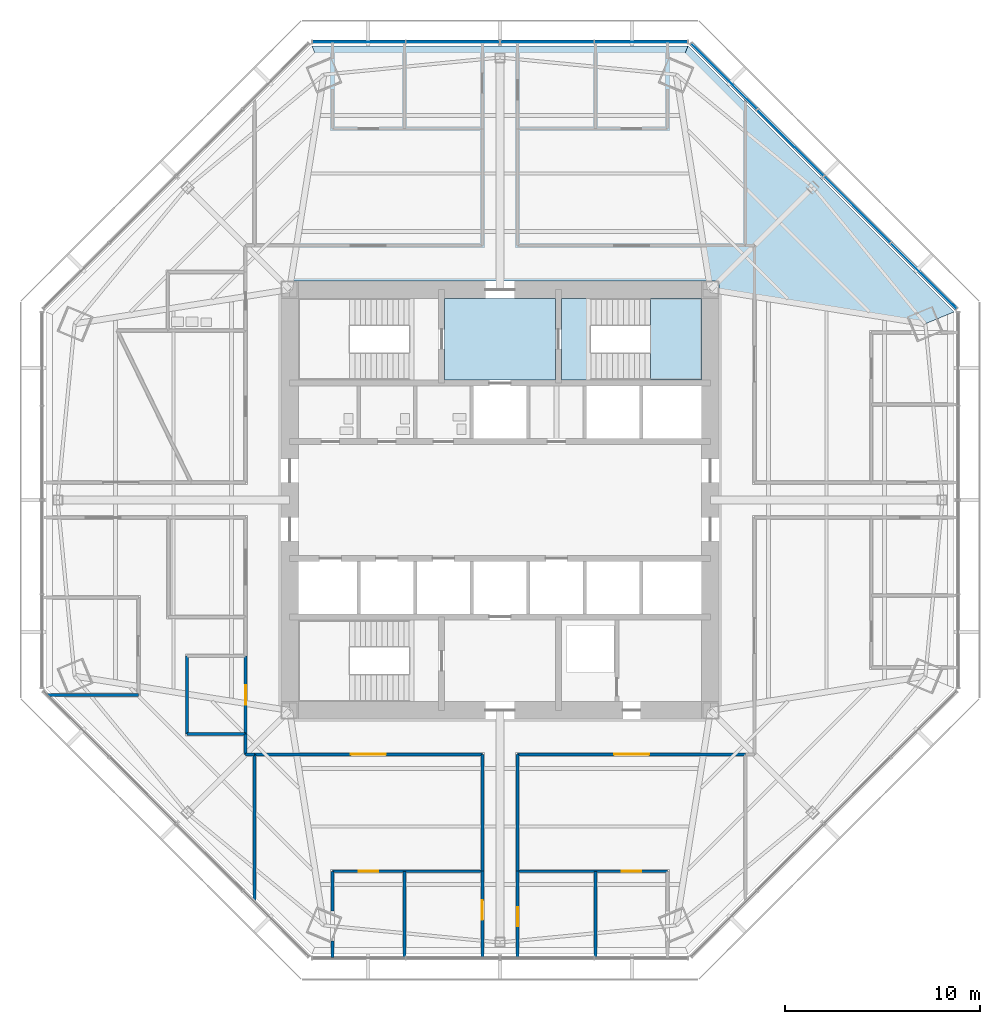
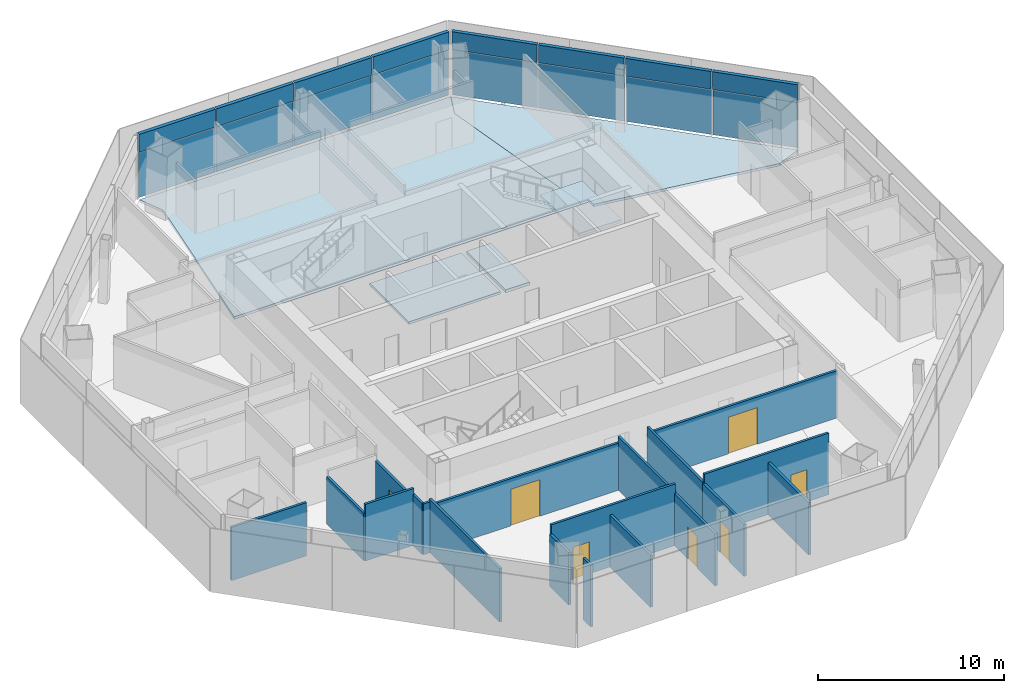
# One storey, part 8 of 15: 19 walls, 16 plates, 7 doors, 5 slabs, 7 openings, 3 elements without a shape of their own.
"""IFC4 building model written with IfcOpenShell, lengths in metres."""

from ifc_helpers import new_model, si_unit, direction, frame, frame_2d, origin, origin_2d, place, context, subcontext, project, spatial, polyline, rectangle, outline, extrude, source, transform, mapped, material, layer, layer_set, type_object, type_shapes, element, fill, aggregate, save


model = new_model("IFC4")

# Units and contexts
model_context = context("Model", 3, precision=1e-05, world=origin(), true_north=direction((0.0, 1.0)))
body_context = subcontext(model_context, "Body", "Model", "MODEL_VIEW")
ifc_project = project(units=[si_unit("LENGTHUNIT", "METRE"), si_unit("AREAUNIT", "SQUARE_METRE"), si_unit("VOLUMEUNIT", "CUBIC_METRE"), si_unit("PLANEANGLEUNIT", "RADIAN"), si_unit("MASSUNIT", "GRAM", prefix="KILO")], contexts=[model_context])

# Site, building, storey
site_placement = place(None, origin())
site = spatial("IfcSite", under=ifc_project, at=site_placement, CompositionType="ELEMENT")
building_placement = place(site_placement, origin())
building = spatial("IfcBuilding", under=site, at=building_placement, Name="Mashrafa Tower", CompositionType="ELEMENT")
storey_placement = place(building_placement, frame((0.0, 0.0, 159.60009765625)))
storey = spatial("IfcBuildingStorey", under=building, at=storey_placement, Name="L36", CompositionType="ELEMENT", Elevation=159.60009765625)

# Slabs
ifc_material_1 = material(Name="Concrete C35/45", Category="concrete")
ifc_layer_1 = layer(ifc_material_1, 0.1650390625)
ifc_layer_set_1 = layer_set([ifc_layer_1], Name="Floor slab 165")
slab_type_1 = type_object("IfcSlabType", Name="Floor slab 165", PredefinedType="FLOOR", material=ifc_layer_set_1)
slab_1_placement = place(storey_placement, frame((0.0, 0.0, -0.1650390625)))
element("IfcSlab", 1, at=slab_1_placement, inside=storey, type_object=slab_type_1, Name="Floor slab L36 north-east bay", PredefinedType="FLOOR", context=body_context, shape_type="SweptSolid", body=[
    extrude(outline(polyline([(23.2998046875, 9.651123046875), (21.826416015625, 9.040771484375), (11.25, 10.728271484375), (11.25, 11.25), (10.728271484375, 11.25), (9.040771484375, 21.826416015625), (9.651123046875, 23.2998046875), (23.2998046875, 9.651123046875)])), origin(), (0.0, 0.0, 1.0), 0.1650390625),
])
slab_2_placement = place(storey_placement, frame((0.0, 0.0, -0.1650390625)))
element("IfcSlab", 2, at=slab_2_placement, inside=storey, type_object=slab_type_1, Name="Floor slab L36 north bay", PredefinedType="FLOOR", context=body_context, shape_type="SweptSolid", body=[
    extrude(outline(polyline([(-9.651123046875, 23.2998046875), (9.651123046875, 23.2998046875), (9.651123046875, 23.2998046875), (9.040771484375, 21.826416015625), (10.728271484375, 11.25), (-10.728271484375, 11.25), (-9.040771484375, 21.826416015625), (-9.651123046875, 23.2998046875), (-9.651123046875, 23.2998046875)])), origin(), (0.0, 0.0, 1.0), 0.1650390625),
])
slab_3_placement = place(storey_placement, frame((0.0, 0.0, -0.1650390625)))
element("IfcSlab", 3, at=slab_3_placement, inside=storey, type_object=slab_type_1, Name="Core floor fire-fighting lobby north L36", PredefinedType="FLOOR", context=body_context, shape_type="SweptSolid", body=[
    extrude(outline(polyline([(-2.85009765625, 10.35009765625), (2.85009765625, 10.35009765625), (2.85009765625, 6.14990234375), (-2.85009765625, 6.14990234375), (-2.85009765625, 10.35009765625)])), origin(), (0.0, 0.0, 1.0), 0.1650390625),
])

# Stair, slabs
ifc_material_2 = material(Name="Exit stair 1400")
stair_type = type_object("IfcStairType", Name="Exit stair 1400", PredefinedType="HALF_TURN_STAIR", material=ifc_material_2)
stair_placement = place(storey_placement, origin())
stair = element("IfcStair", 4, at=stair_placement, inside=storey, type_object=stair_type, Name="Stair S2 L36", PredefinedType="HALF_TURN_STAIR")
ifc_material_3 = material(Name="Concrete C32/40", Category="concrete")
ifc_layer_2 = layer(ifc_material_3, 0.199951171875)
ifc_layer_set_2 = layer_set([ifc_layer_2], Name="Stair landing 200")
slab_type_2 = type_object("IfcSlabType", Name="Stair landing 200", PredefinedType="LANDING", material=ifc_layer_set_2)
slab_4_placement = place(storey_placement, frame((0.0, 0.0, -0.2001953125)))
slab_4 = element("IfcSlab", 5, at=slab_4_placement, type_object=slab_type_2, Name="S2 landing 1", PredefinedType="LANDING", context=body_context, shape_type="SweptSolid", body=[
    extrude(outline(polyline([(3.14990234375, 6.14990234375), (4.659912109375, 6.14990234375), (4.659912109375, 10.35009765625), (3.14990234375, 10.35009765625), (3.14990234375, 6.14990234375)])), origin(), (0.0, 0.0, 1.0), 0.2001953125),
])
slab_5_placement = place(storey_placement, frame((0.0, 0.0, 1.89990234375)))
slab_5 = element("IfcSlab", 6, at=slab_5_placement, type_object=slab_type_2, Name="S2 landing 2", PredefinedType="LANDING", context=body_context, shape_type="SweptSolid", body=[
    extrude(outline(polyline([(7.719970703125, 6.14990234375), (10.35009765625, 6.14990234375), (10.35009765625, 10.35009765625), (7.719970703125, 10.35009765625), (7.719970703125, 6.14990234375)])), origin(), (0.0, 0.0, 1.0), 0.199951171875),
])
aggregate(stair, [slab_4, slab_5])

# Curtain wall, plates
ifc_material_4 = material(Name="Unitised aluminium curtain wall", Category="aluminium")
curtain_wall_type = type_object("IfcCurtainWallType", Name="Office curtain wall, zone 2 CW-B 225 deep", PredefinedType="NOTDEFINED", material=ifc_material_4)
curtain_wall_1_placement = place(storey_placement, origin())
curtain_wall_1 = element("IfcCurtainWall", 7, at=curtain_wall_1_placement, inside=storey, type_object=curtain_wall_type, Name="Office curtain wall, zone 2 L36 north-east", PredefinedType="NOTDEFINED")
ifc_material_5 = material(Name="Insulated double glazing, low-e, neutral", Category="glass")
ifc_layer_3 = layer(ifc_material_5, 0.028076171875)
ifc_layer_set_3 = layer_set([ifc_layer_3], Name="Vision panel CW-B 28")
plate_type_1 = type_object("IfcPlateType", Name="Vision panel CW-B 28", PredefinedType="CURTAIN_PANEL", material=ifc_layer_set_3)
shared_shape_1 = source(origin(), body_context, "Body", "SweptSolid", [
    extrude(rectangle(XDim=4.7412109375, YDim=0.028076171875, at=origin_2d()), origin(), (0.0, 0.0, 1.0), 2.9599609375),
])
plate_1_placement = place(storey_placement, frame((21.737548828125, 11.49609375, 0.0), z_axis=(0.0, 0.0, 1.0), x_axis=(-0.707106781187, 0.707106781187, 0.0)))
plate_1 = element("IfcPlate", 8, at=plate_1_placement, type_object=plate_type_1, Name="CW-B vision panel 1", PredefinedType="CURTAIN_PANEL", context=body_context, shape_type="MappedRepresentation", body=[
    mapped(shared_shape_1, transform((0.0, 0.0, 0.0))),
])
plate_2_placement = place(storey_placement, frame((11.49609375, 21.737548828125, 0.0), z_axis=(0.0, 0.0, 1.0), x_axis=(-0.707106781187, 0.707106781187, 0.0)))
plate_2 = element("IfcPlate", 9, at=plate_2_placement, type_object=plate_type_1, Name="CW-B vision panel 4", PredefinedType="CURTAIN_PANEL", context=body_context, shape_type="MappedRepresentation", body=[
    mapped(shared_shape_1, transform((0.0, 0.0, 0.0))),
])

curtain_wall_2_placement = place(storey_placement, origin())
curtain_wall_2 = element("IfcCurtainWall", 10, at=curtain_wall_2_placement, inside=storey, type_object=curtain_wall_type, Name="Office curtain wall, zone 2 L36 north", PredefinedType="NOTDEFINED")
plate_3_placement = place(storey_placement, frame((7.24169921875, 23.499755859375, 0.0), z_axis=(0.0, 0.0, 1.0), x_axis=(-1.0, 0.0, 0.0)))
plate_3 = element("IfcPlate", 11, at=plate_3_placement, type_object=plate_type_1, Name="CW-B vision panel 1", PredefinedType="CURTAIN_PANEL", context=body_context, shape_type="MappedRepresentation", body=[
    mapped(shared_shape_1, transform((0.0, 0.0, 0.0))),
])
plate_4_placement = place(storey_placement, frame((-7.24169921875, 23.499755859375, 0.0), z_axis=(0.0, 0.0, 1.0), x_axis=(-1.0, 0.0, 0.0)))
plate_4 = element("IfcPlate", 12, at=plate_4_placement, type_object=plate_type_1, Name="CW-B vision panel 4", PredefinedType="CURTAIN_PANEL", context=body_context, shape_type="MappedRepresentation", body=[
    mapped(shared_shape_1, transform((0.0, 0.0, 0.0))),
])

# Plate
ifc_material_6 = material(Name="Insulated aluminium spandrel panel", Category="aluminium")
ifc_layer_4 = layer(ifc_material_6, 0.219970703125)
ifc_layer_set_4 = layer_set([ifc_layer_4], Name="Spandrel panel CW-B 220")
plate_type_2 = type_object("IfcPlateType", Name="Spandrel panel CW-B 220", PredefinedType="CURTAIN_PANEL", material=ifc_layer_set_4)
shared_shape_2 = source(origin(), body_context, "Body", "SweptSolid", [
    extrude(rectangle(XDim=4.7412109375, YDim=0.219970703125, at=origin_2d()), origin(), (0.0, 0.0, 1.0), 1.159912109375),
])
plate_5_placement = place(storey_placement, frame((21.737548828125, 11.49609375, 3.0400390625), z_axis=(0.0, 0.0, 1.0), x_axis=(-0.707106781187, 0.707106781187, 0.0)))
plate_5 = element("IfcPlate", 13, at=plate_5_placement, type_object=plate_type_2, Name="CW-B spandrel panel 1", PredefinedType="CURTAIN_PANEL", context=body_context, shape_type="MappedRepresentation", body=[
    mapped(shared_shape_2, transform((0.0, 0.0, 0.0))),
])

plate_6_placement = place(storey_placement, frame((11.49609375, 21.737548828125, 3.0400390625), z_axis=(0.0, 0.0, 1.0), x_axis=(-0.707106781187, 0.707106781187, 0.0)))
plate_6 = element("IfcPlate", 14, at=plate_6_placement, type_object=plate_type_2, Name="CW-B spandrel panel 4", PredefinedType="CURTAIN_PANEL", context=body_context, shape_type="MappedRepresentation", body=[
    mapped(shared_shape_2, transform((0.0, 0.0, 0.0))),
])

plate_7_placement = place(storey_placement, frame((7.24169921875, 23.499755859375, 3.0400390625), z_axis=(0.0, 0.0, 1.0), x_axis=(-1.0, 0.0, 0.0)))
plate_7 = element("IfcPlate", 15, at=plate_7_placement, type_object=plate_type_2, Name="CW-B spandrel panel 1", PredefinedType="CURTAIN_PANEL", context=body_context, shape_type="MappedRepresentation", body=[
    mapped(shared_shape_2, transform((0.0, 0.0, 0.0))),
])

plate_8_placement = place(storey_placement, frame((-7.24169921875, 23.499755859375, 3.0400390625), z_axis=(0.0, 0.0, 1.0), x_axis=(-1.0, 0.0, 0.0)))
plate_8 = element("IfcPlate", 16, at=plate_8_placement, type_object=plate_type_2, Name="CW-B spandrel panel 4", PredefinedType="CURTAIN_PANEL", context=body_context, shape_type="MappedRepresentation", body=[
    mapped(shared_shape_2, transform((0.0, 0.0, 0.0))),
])

shared_shape_3 = source(origin(), body_context, "Body", "SweptSolid", [
    extrude(rectangle(XDim=4.773681640625, YDim=0.028076171875, at=origin_2d()), origin(), (0.0, 0.0, 1.0), 2.9599609375),
])
type_shapes(plate_type_1, [shared_shape_1, shared_shape_3])
plate_9_placement = place(storey_placement, frame((18.32763671875, 14.90625, 0.0), z_axis=(0.0, 0.0, 1.0), x_axis=(-0.707106781187, 0.707106781187, 0.0)))
plate_9 = element("IfcPlate", 17, at=plate_9_placement, type_object=plate_type_1, Name="CW-B vision panel 2", PredefinedType="CURTAIN_PANEL", context=body_context, shape_type="MappedRepresentation", body=[
    mapped(shared_shape_3, transform((0.0, 0.0, 0.0))),
])

plate_10_placement = place(storey_placement, frame((14.90625, 18.32763671875, 0.0), z_axis=(0.0, 0.0, 1.0), x_axis=(-0.707106781187, 0.707106781187, 0.0)))
plate_10 = element("IfcPlate", 18, at=plate_10_placement, type_object=plate_type_1, Name="CW-B vision panel 3", PredefinedType="CURTAIN_PANEL", context=body_context, shape_type="MappedRepresentation", body=[
    mapped(shared_shape_3, transform((0.0, 0.0, 0.0))),
])

plate_11_placement = place(storey_placement, frame((2.41943359375, 23.499755859375, 0.0), z_axis=(0.0, 0.0, 1.0), x_axis=(-1.0, 0.0, 0.0)))
plate_11 = element("IfcPlate", 19, at=plate_11_placement, type_object=plate_type_1, Name="CW-B vision panel 2", PredefinedType="CURTAIN_PANEL", context=body_context, shape_type="MappedRepresentation", body=[
    mapped(shared_shape_3, transform((0.0, 0.0, 0.0))),
])

plate_12_placement = place(storey_placement, frame((-2.41943359375, 23.499755859375, 0.0), z_axis=(0.0, 0.0, 1.0), x_axis=(-1.0, 0.0, 0.0)))
plate_12 = element("IfcPlate", 20, at=plate_12_placement, type_object=plate_type_1, Name="CW-B vision panel 3", PredefinedType="CURTAIN_PANEL", context=body_context, shape_type="MappedRepresentation", body=[
    mapped(shared_shape_3, transform((0.0, 0.0, 0.0))),
])

shared_shape_4 = source(origin(), body_context, "Body", "SweptSolid", [
    extrude(rectangle(XDim=4.773681640625, YDim=0.219970703125, at=origin_2d()), origin(), (0.0, 0.0, 1.0), 1.159912109375),
])
type_shapes(plate_type_2, [shared_shape_2, shared_shape_4])
plate_13_placement = place(storey_placement, frame((18.32763671875, 14.90625, 3.0400390625), z_axis=(0.0, 0.0, 1.0), x_axis=(-0.707106781187, 0.707106781187, 0.0)))
plate_13 = element("IfcPlate", 21, at=plate_13_placement, type_object=plate_type_2, Name="CW-B spandrel panel 2", PredefinedType="CURTAIN_PANEL", context=body_context, shape_type="MappedRepresentation", body=[
    mapped(shared_shape_4, transform((0.0, 0.0, 0.0))),
])

plate_14_placement = place(storey_placement, frame((14.90625, 18.32763671875, 3.0400390625), z_axis=(0.0, 0.0, 1.0), x_axis=(-0.707106781187, 0.707106781187, 0.0)))
plate_14 = element("IfcPlate", 22, at=plate_14_placement, type_object=plate_type_2, Name="CW-B spandrel panel 3", PredefinedType="CURTAIN_PANEL", context=body_context, shape_type="MappedRepresentation", body=[
    mapped(shared_shape_4, transform((0.0, 0.0, 0.0))),
])

aggregate(curtain_wall_1, [plate_1, plate_5, plate_9, plate_13, plate_10, plate_14, plate_2, plate_6])

plate_15_placement = place(storey_placement, frame((2.41943359375, 23.499755859375, 3.0400390625), z_axis=(0.0, 0.0, 1.0), x_axis=(-1.0, 0.0, 0.0)))
plate_15 = element("IfcPlate", 23, at=plate_15_placement, type_object=plate_type_2, Name="CW-B spandrel panel 2", PredefinedType="CURTAIN_PANEL", context=body_context, shape_type="MappedRepresentation", body=[
    mapped(shared_shape_4, transform((0.0, 0.0, 0.0))),
])

plate_16_placement = place(storey_placement, frame((-2.41943359375, 23.499755859375, 3.0400390625), z_axis=(0.0, 0.0, 1.0), x_axis=(-1.0, 0.0, 0.0)))
plate_16 = element("IfcPlate", 24, at=plate_16_placement, type_object=plate_type_2, Name="CW-B spandrel panel 3", PredefinedType="CURTAIN_PANEL", context=body_context, shape_type="MappedRepresentation", body=[
    mapped(shared_shape_4, transform((0.0, 0.0, 0.0))),
])

aggregate(curtain_wall_2, [plate_3, plate_7, plate_11, plate_15, plate_12, plate_16, plate_4, plate_8])

# Wall, opening, door
ifc_material_7 = material(Name="Gypsum board on steel studs", Category="steel")
ifc_layer_5 = layer(ifc_material_7, 0.14990234375)
ifc_layer_set_5 = layer_set([ifc_layer_5], Name="Corridor partition 150 1 hr")
wall_type_1 = type_object("IfcWallType", Name="Corridor partition 150 1 hr", PredefinedType="PARTITIONING", material=ifc_layer_set_5)
wall_1_placement = place(storey_placement, frame((0.89990234375, -23.48388671875, 0.0), z_axis=(0.0, 0.0, 1.0), x_axis=(0.0, 1.0, 0.0)))
wall_1 = element("IfcWall", 25, at=wall_1_placement, inside=storey, type_object=wall_type_1, Name="Corridor wall L36-008", PredefinedType="PARTITIONING", context=body_context, shape_type="SweptSolid", body=[
    extrude(rectangle(XDim=4.43505859375, YDim=0.14990234375, at=frame_2d((2.217529296875, 0.0))), origin(), (0.0, 0.0, 1.0), 3.4228515625),
])
opening_1_placement = place(wall_1_placement, frame((1.599609375, 0.0, 0.0)))
opening_1 = element("IfcOpeningElement", 26, at=opening_1_placement, cuts=wall_1, Name="Opening 36.011", PredefinedType="OPENING", context=body_context, shape_type="SweptSolid", body=[
    extrude(rectangle(XDim=1.0, YDim=2.10009765625, at=frame_2d((0.5, 1.050048828125))), frame((0.0, 0.0849609375, 0.0), z_axis=(0.0, -1.0, 0.0), x_axis=(1.0, 0.0, 0.0)), (0.0, 0.0, 1.0), 0.169921875),
])
ifc_material_8 = material(Name="Timber door", Category="wood")
door_type_1 = type_object("IfcDoorType", Name="Door 1000 x 2100", OperationType="USERDEFINED", PredefinedType="DOOR", material=ifc_material_8)
door_1_placement = place(opening_1_placement, frame((1.0, 0.0, 0.0), z_axis=(0.0, 0.0, 1.0), x_axis=(-1.0, 0.0, 0.0)))
door_1 = element("IfcDoor", 27, at=door_1_placement, inside=storey, type_object=door_type_1, Name="Serviced Office 36-SA-1 door", OperationType="SINGLE_SWING_RIGHT", OverallHeight=2.10009765625, OverallWidth=1.0, PredefinedType="DOOR", context=body_context, shape_type="SweptSolid", body=[
    extrude(rectangle(XDim=1.0, YDim=2.10009765625, at=frame_2d((0.5, 1.050048828125))), frame((0.0, 0.02490234375, 0.0), z_axis=(0.0, -1.0, 0.0), x_axis=(1.0, 0.0, 0.0)), (0.0, 0.0, 1.0), 0.050048828125),
])
fill(opening_1, door_1)

wall_2_placement = place(storey_placement, frame((-0.89990234375, -19.048828125, 0.0), z_axis=(0.0, 0.0, 1.0), x_axis=(0.0, -1.0, 0.0)))
wall_2 = element("IfcWall", 28, at=wall_2_placement, inside=storey, type_object=wall_type_1, Name="Corridor wall L36-009", PredefinedType="PARTITIONING", context=body_context, shape_type="SweptSolid", body=[
    extrude(rectangle(XDim=4.43505859375, YDim=0.14990234375, at=frame_2d((2.217529296875, 0.0))), origin(), (0.0, 0.0, 1.0), 3.4228515625),
])
opening_2_placement = place(wall_2_placement, frame((1.50048828125, 0.0, 0.0)))
opening_2 = element("IfcOpeningElement", 29, at=opening_2_placement, cuts=wall_2, Name="Opening 36.014", PredefinedType="OPENING", context=body_context, shape_type="SweptSolid", body=[
    extrude(rectangle(XDim=1.0, YDim=2.10009765625, at=frame_2d((0.5, 1.050048828125))), frame((0.0, 0.0849609375, 0.0), z_axis=(0.0, -1.0, 0.0), x_axis=(1.0, 0.0, 0.0)), (0.0, 0.0, 1.0), 0.169921875),
])
door_2_placement = place(opening_2_placement, frame((1.0, 0.0, 0.0), z_axis=(0.0, 0.0, 1.0), x_axis=(-1.0, 0.0, 0.0)))
door_2 = element("IfcDoor", 30, at=door_2_placement, inside=storey, type_object=door_type_1, Name="Serviced Office 36-SB-2 door", OperationType="SINGLE_SWING_RIGHT", OverallHeight=2.10009765625, OverallWidth=1.0, PredefinedType="DOOR", context=body_context, shape_type="SweptSolid", body=[
    extrude(rectangle(XDim=1.0, YDim=2.10009765625, at=frame_2d((0.5, 1.050048828125))), frame((0.0, 0.02490234375, 0.0), z_axis=(0.0, -1.0, 0.0), x_axis=(1.0, 0.0, 0.0)), (0.0, 0.0, 1.0), 0.050048828125),
])
fill(opening_2, door_2)

wall_3_placement = place(storey_placement, frame((-13.050048828125, -7.9990234375, 0.0), z_axis=(0.0, 0.0, 1.0), x_axis=(0.0, -1.0, 0.0)))
wall_3 = element("IfcWall", 31, at=wall_3_placement, inside=storey, type_object=wall_type_1, Name="Corridor wall L36-010", PredefinedType="PARTITIONING", context=body_context, shape_type="SweptSolid", body=[
    extrude(rectangle(XDim=4.001953125, YDim=0.14990234375, at=frame_2d((2.0009765625, 0.0))), origin(), (0.0, 0.0, 1.0), 3.097900390625),
])
opening_3_placement = place(wall_3_placement, frame((1.5009765625, 0.0, 0.0)))
opening_3 = element("IfcOpeningElement", 32, at=opening_3_placement, cuts=wall_3, Name="Opening 36.016", PredefinedType="OPENING", context=body_context, shape_type="SweptSolid", body=[
    extrude(rectangle(XDim=1.0, YDim=2.10009765625, at=frame_2d((0.5, 1.050048828125))), frame((0.0, 0.0849609375, 0.0), z_axis=(0.0, -1.0, 0.0), x_axis=(1.0, 0.0, 0.0)), (0.0, 0.0, 1.0), 0.169921875),
])
door_3_placement = place(opening_3_placement, frame((1.0, 0.0, 0.0), z_axis=(0.0, 0.0, 1.0), x_axis=(-1.0, 0.0, 0.0)))
door_3 = element("IfcDoor", 33, at=door_3_placement, inside=storey, type_object=door_type_1, Name="Shared Pantry 36 door", OperationType="SINGLE_SWING_RIGHT", OverallHeight=2.10009765625, OverallWidth=1.0, PredefinedType="DOOR", context=body_context, shape_type="SweptSolid", body=[
    extrude(rectangle(XDim=1.0, YDim=2.10009765625, at=frame_2d((0.5, 1.050048828125))), frame((0.0, 0.02490234375, 0.0), z_axis=(0.0, -1.0, 0.0), x_axis=(1.0, 0.0, 0.0)), (0.0, 0.0, 1.0), 0.050048828125),
])
fill(opening_3, door_3)

# Walls
wall_4_placement = place(storey_placement, frame((-13.050048828125, -11.9990234375, 0.0), z_axis=(0.0, 0.0, 1.0), x_axis=(0.0, -1.0, 0.0)))
element("IfcWall", 34, at=wall_4_placement, inside=storey, type_object=wall_type_1, Name="Corridor wall L36-024", PredefinedType="PARTITIONING", context=body_context, shape_type="SweptSolid", body=[
    extrude(rectangle(XDim=1.051025390625, YDim=0.14990234375, at=frame_2d((0.525390625, 0.0))), origin(), (0.0, 0.0, 1.0), 3.33154296875),
])
wall_5_placement = place(storey_placement, frame((-13.050048828125, -13.050048828125, 0.0), z_axis=(0.0, 0.0, 1.0), x_axis=(1.0, 0.0, 0.0)))
element("IfcWall", 35, at=wall_5_placement, inside=storey, type_object=wall_type_1, Name="Corridor wall L36-025", PredefinedType="PARTITIONING", context=body_context, shape_type="SweptSolid", body=[
    extrude(rectangle(XDim=0.450927734375, YDim=0.14990234375, at=frame_2d((0.2255859375, 0.0))), origin(), (0.0, 0.0, 1.0), 3.33154296875),
])

# Wall, opening, door
wall_6_placement = place(storey_placement, frame((-12.60107421875, -13.050048828125, 0.0), z_axis=(0.0, 0.0, 1.0), x_axis=(1.0, 0.0, 0.0)))
wall_6 = element("IfcWall", 36, at=wall_6_placement, inside=storey, type_object=wall_type_1, Name="Corridor wall L36-027", PredefinedType="PARTITIONING", context=body_context, shape_type="SweptSolid", body=[
    extrude(rectangle(XDim=11.701171875, YDim=0.14990234375, at=frame_2d((5.8505859375, 0.0))), origin(), (0.0, 0.0, 1.0), 3.097900390625),
])
opening_4_placement = place(wall_6_placement, frame((4.950439453125, 0.0, 0.0)))
opening_4 = element("IfcOpeningElement", 37, at=opening_4_placement, cuts=wall_6, Name="Opening 36.023", PredefinedType="OPENING", context=body_context, shape_type="SweptSolid", body=[
    extrude(rectangle(XDim=1.800048828125, YDim=2.39990234375, at=frame_2d((0.89990234375, 1.199951171875))), frame((0.0, 0.0849609375, 0.0), z_axis=(0.0, -1.0, 0.0), x_axis=(1.0, 0.0, 0.0)), (0.0, 0.0, 1.0), 0.169921875),
])
ifc_material_9 = material(Name="Timber door", Category="wood")
door_type_2 = type_object("IfcDoorType", Name="Door pair 1800 x 2400", OperationType="DOUBLE_DOOR_SINGLE_SWING", PredefinedType="DOOR", material=ifc_material_9)
door_4_placement = place(opening_4_placement, origin())
door_4 = element("IfcDoor", 38, at=door_4_placement, inside=storey, type_object=door_type_2, Name="Business Centre Lounge 36-SW2 door", OperationType="DOUBLE_DOOR_SINGLE_SWING", OverallHeight=2.39990234375, OverallWidth=1.800048828125, PredefinedType="DOOR", context=body_context, shape_type="SweptSolid", body=[
    extrude(rectangle(XDim=1.800048828125, YDim=2.39990234375, at=frame_2d((0.89990234375, 1.199951171875))), frame((0.0, 0.02490234375, 0.0), z_axis=(0.0, -1.0, 0.0), x_axis=(1.0, 0.0, 0.0)), (0.0, 0.0, 1.0), 0.050048828125),
])
fill(opening_4, door_4)

# Walls
for number, where, z_axis, x_axis, name in (
    (39, (-0.89990234375, -13.050048828125, 0.0), (0.0, 0.0, 1.0), (0.0, -1.0, 0.0), "Corridor wall L36-028"),
    (40, (0.89990234375, -19.05078125, 0.0), (0.0, 0.0, 1.0), (0.0, 1.0, 0.0), "Corridor wall L36-032"),
):
    element("IfcWall", number, at=place(storey_placement, frame(where, z_axis=z_axis, x_axis=x_axis)), inside=storey, type_object=wall_type_1, Name=name, PredefinedType="PARTITIONING", context=body_context, shape_type="SweptSolid", body=[
        extrude(rectangle(XDim=6.000732421875, YDim=0.14990234375, at=frame_2d((3.00048828125, 0.0))), origin(), (0.0, 0.0, 1.0), 3.491455078125),
    ])

# Wall, opening, door
wall_7_placement = place(storey_placement, frame((0.89990234375, -13.050048828125, 0.0), z_axis=(0.0, 0.0, 1.0), x_axis=(1.0, 0.0, 0.0)))
wall_7 = element("IfcWall", 41, at=wall_7_placement, inside=storey, type_object=wall_type_1, Name="Corridor wall L36-033", PredefinedType="PARTITIONING", context=body_context, shape_type="SweptSolid", body=[
    extrude(rectangle(XDim=11.701171875, YDim=0.14990234375, at=frame_2d((5.8505859375, 0.0))), origin(), (0.0, 0.0, 1.0), 3.097900390625),
])
opening_5_placement = place(wall_7_placement, frame((4.950439453125, 0.0, 0.0)))
opening_5 = element("IfcOpeningElement", 42, at=opening_5_placement, cuts=wall_7, Name="Opening 36.025", PredefinedType="OPENING", context=body_context, shape_type="SweptSolid", body=[
    extrude(rectangle(XDim=1.800048828125, YDim=2.39990234375, at=frame_2d((0.89990234375, 1.199951171875))), frame((0.0, 0.0849609375, 0.0), z_axis=(0.0, -1.0, 0.0), x_axis=(1.0, 0.0, 0.0)), (0.0, 0.0, 1.0), 0.169921875),
])
door_5_placement = place(opening_5_placement, origin())
door_5 = element("IfcDoor", 43, at=door_5_placement, inside=storey, type_object=door_type_2, Name="Business Centre Lounge 36-SE2 door", OperationType="DOUBLE_DOOR_SINGLE_SWING", OverallHeight=2.39990234375, OverallWidth=1.800048828125, PredefinedType="DOOR", context=body_context, shape_type="SweptSolid", body=[
    extrude(rectangle(XDim=1.800048828125, YDim=2.39990234375, at=frame_2d((0.89990234375, 1.199951171875))), frame((0.0, 0.02490234375, 0.0), z_axis=(0.0, -1.0, 0.0), x_axis=(1.0, 0.0, 0.0)), (0.0, 0.0, 1.0), 0.050048828125),
])
fill(opening_5, door_5)

# Wall
ifc_material_10 = material(Name="Gypsum board on steel studs", Category="steel")
ifc_layer_6 = layer(ifc_material_10, 0.14990234375)
ifc_layer_set_6 = layer_set([ifc_layer_6], Name="Partition 150")
wall_type_2 = type_object("IfcWallType", Name="Partition 150", PredefinedType="PARTITIONING", material=ifc_layer_set_6)
wall_8_placement = place(storey_placement, frame((4.89990234375, -23.48193359375, 0.0), z_axis=(0.0, 0.0, 1.0), x_axis=(0.0, 1.0, 0.0)))
element("IfcWall", 44, at=wall_8_placement, inside=storey, type_object=wall_type_2, Name="Partition wall L36-059", PredefinedType="PARTITIONING", context=body_context, shape_type="SweptSolid", body=[
    extrude(rectangle(XDim=4.43212890625, YDim=0.14990234375, at=frame_2d((2.216064453125, 0.0))), origin(), (0.0, 0.0, 1.0), 3.4228515625),
])

# Wall, opening, door
wall_9_placement = place(storey_placement, frame((0.89990234375, -19.0498046875, 0.0), z_axis=(0.0, 0.0, 1.0), x_axis=(1.0, 0.0, 0.0)))
wall_9 = element("IfcWall", 45, at=wall_9_placement, inside=storey, type_object=wall_type_2, Name="Partition wall L36-060", PredefinedType="PARTITIONING", context=body_context, shape_type="SweptSolid", body=[
    extrude(rectangle(XDim=7.7001953125, YDim=0.14990234375, at=frame_2d((3.85009765625, 0.0))), origin(), (0.0, 0.0, 1.0), 4.034912109375),
])
opening_6_placement = place(wall_9_placement, frame((5.35009765625, 0.0, 0.0)))
opening_6 = element("IfcOpeningElement", 46, at=opening_6_placement, cuts=wall_9, Name="Opening 36.012", PredefinedType="OPENING", context=body_context, shape_type="SweptSolid", body=[
    extrude(rectangle(XDim=1.0, YDim=2.10009765625, at=frame_2d((0.5, 1.050048828125))), frame((0.0, 0.0849609375, 0.0), z_axis=(0.0, -1.0, 0.0), x_axis=(1.0, 0.0, 0.0)), (0.0, 0.0, 1.0), 0.169921875),
])
door_6_placement = place(opening_6_placement, frame((1.0, 0.0, 0.0), z_axis=(0.0, 0.0, 1.0), x_axis=(-1.0, 0.0, 0.0)))
door_6 = element("IfcDoor", 47, at=door_6_placement, inside=storey, type_object=door_type_1, Name="Serviced Office 36-SE2 door", OperationType="SINGLE_SWING_RIGHT", OverallHeight=2.10009765625, OverallWidth=1.0, PredefinedType="DOOR", context=body_context, shape_type="SweptSolid", body=[
    extrude(rectangle(XDim=1.0, YDim=2.10009765625, at=frame_2d((0.5, 1.050048828125))), frame((0.0, 0.02490234375, 0.0), z_axis=(0.0, -1.0, 0.0), x_axis=(1.0, 0.0, 0.0)), (0.0, 0.0, 1.0), 0.050048828125),
])
fill(opening_6, door_6)

# Wall
wall_10_placement = place(storey_placement, frame((-4.89990234375, -23.48193359375, 0.0), z_axis=(0.0, 0.0, 1.0), x_axis=(0.0, 1.0, 0.0)))
element("IfcWall", 48, at=wall_10_placement, inside=storey, type_object=wall_type_2, Name="Partition wall L36-064", PredefinedType="PARTITIONING", context=body_context, shape_type="SweptSolid", body=[
    extrude(rectangle(XDim=4.43212890625, YDim=0.14990234375, at=frame_2d((2.216064453125, 0.0))), origin(), (0.0, 0.0, 1.0), 3.4228515625),
])

# Wall, opening, door
wall_11_placement = place(storey_placement, frame((-8.60009765625, -19.0498046875, 0.0), z_axis=(0.0, 0.0, 1.0), x_axis=(1.0, 0.0, 0.0)))
wall_11 = element("IfcWall", 49, at=wall_11_placement, inside=storey, type_object=wall_type_2, Name="Partition wall L36-065", PredefinedType="PARTITIONING", context=body_context, shape_type="SweptSolid", body=[
    extrude(rectangle(XDim=7.7001953125, YDim=0.14990234375, at=frame_2d((3.85009765625, 0.0))), origin(), (0.0, 0.0, 1.0), 4.034912109375),
])
opening_7_placement = place(wall_11_placement, frame((1.35009765625, 0.0, 0.0)))
opening_7 = element("IfcOpeningElement", 50, at=opening_7_placement, cuts=wall_11, Name="Opening 36.013", PredefinedType="OPENING", context=body_context, shape_type="SweptSolid", body=[
    extrude(rectangle(XDim=1.0, YDim=2.10009765625, at=frame_2d((0.5, 1.050048828125))), frame((0.0, 0.0849609375, 0.0), z_axis=(0.0, -1.0, 0.0), x_axis=(1.0, 0.0, 0.0)), (0.0, 0.0, 1.0), 0.169921875),
])
door_7_placement = place(opening_7_placement, frame((1.0, 0.0, 0.0), z_axis=(0.0, 0.0, 1.0), x_axis=(-1.0, 0.0, 0.0)))
door_7 = element("IfcDoor", 51, at=door_7_placement, inside=storey, type_object=door_type_1, Name="Serviced Office 36-SW2 door", OperationType="SINGLE_SWING_RIGHT", OverallHeight=2.10009765625, OverallWidth=1.0, PredefinedType="DOOR", context=body_context, shape_type="SweptSolid", body=[
    extrude(rectangle(XDim=1.0, YDim=2.10009765625, at=frame_2d((0.5, 1.050048828125))), frame((0.0, 0.02490234375, 0.0), z_axis=(0.0, -1.0, 0.0), x_axis=(1.0, 0.0, 0.0)), (0.0, 0.0, 1.0), 0.050048828125),
])
fill(opening_7, door_7)

# Walls
wall_12_placement = place(storey_placement, frame((-8.60009765625, -19.0498046875, 0.0), z_axis=(0.0, 0.0, 1.0), x_axis=(0.0, -1.0, 0.0)))
element("IfcWall", 52, at=wall_12_placement, inside=storey, type_object=wall_type_2, Name="Partition wall L36-066", PredefinedType="PARTITIONING", context=body_context, shape_type="SweptSolid", body=[
    extrude(rectangle(XDim=2.035888671875, YDim=0.14990234375, at=frame_2d((1.01806640625, 0.0))), origin(), (0.0, 0.0, 1.0), 3.4228515625),
])
wall_13_placement = place(storey_placement, frame((-8.60009765625, -22.64111328125, 0.0), z_axis=(0.0, 0.0, 1.0), x_axis=(0.0, -1.0, 0.0)))
element("IfcWall", 53, at=wall_13_placement, inside=storey, type_object=wall_type_2, Name="Partition wall L36-067", PredefinedType="PARTITIONING", context=body_context, shape_type="SweptSolid", body=[
    extrude(rectangle(XDim=0.8408203125, YDim=0.14990234375, at=frame_2d((0.42041015625, 0.0))), origin(), (0.0, 0.0, 1.0), 4.034912109375),
])
wall_14_placement = place(storey_placement, frame((-23.2099609375, -10.0, 0.0), z_axis=(0.0, 0.0, 1.0), x_axis=(1.0, 0.0, 0.0)))
element("IfcWall", 54, at=wall_14_placement, inside=storey, type_object=wall_type_2, Name="Partition wall L36-069", PredefinedType="PARTITIONING", context=body_context, shape_type="SweptSolid", body=[
    extrude(rectangle(XDim=4.66015625, YDim=0.14990234375, at=frame_2d((2.330078125, 0.0))), origin(), (0.0, 0.0, 1.0), 3.4990234375),
])
wall_15_placement = place(storey_placement, frame((-16.050048828125, -8.0, 0.0), z_axis=(0.0, 0.0, 1.0), x_axis=(0.0, -1.0, 0.0)))
element("IfcWall", 55, at=wall_15_placement, inside=storey, type_object=wall_type_2, Name="Partition wall L36-073", PredefinedType="PARTITIONING", context=body_context, shape_type="SweptSolid", body=[
    extrude(rectangle(XDim=4.0, YDim=0.14990234375, at=frame_2d((2.0, 0.0))), origin(), (0.0, 0.0, 1.0), 3.097900390625),
])
wall_16_placement = place(storey_placement, frame((-16.050048828125, -12.0, 0.0), z_axis=(0.0, 0.0, 1.0), x_axis=(1.0, 0.0, 0.0)))
element("IfcWall", 56, at=wall_16_placement, inside=storey, type_object=wall_type_2, Name="Partition wall L36-074", PredefinedType="PARTITIONING", context=body_context, shape_type="SweptSolid", body=[
    extrude(rectangle(XDim=3.0, YDim=0.14990234375, at=frame_2d((1.5, 0.0))), origin(), (0.0, 0.0, 1.0), 3.715087890625),
])
wall_17_placement = place(storey_placement, frame((-12.60009765625, -20.610107421875, 0.0), z_axis=(0.0, 0.0, 1.0), x_axis=(0.0, 1.0, 0.0)))
element("IfcWall", 57, at=wall_17_placement, inside=storey, type_object=wall_type_2, Name="Partition wall L36-079", PredefinedType="PARTITIONING", context=body_context, shape_type="SweptSolid", body=[
    extrude(rectangle(XDim=7.56005859375, YDim=0.14990234375, at=frame_2d((3.780029296875, 0.0))), origin(), (0.0, 0.0, 1.0), 3.4990234375),
])

save(model, "model.ifc")
